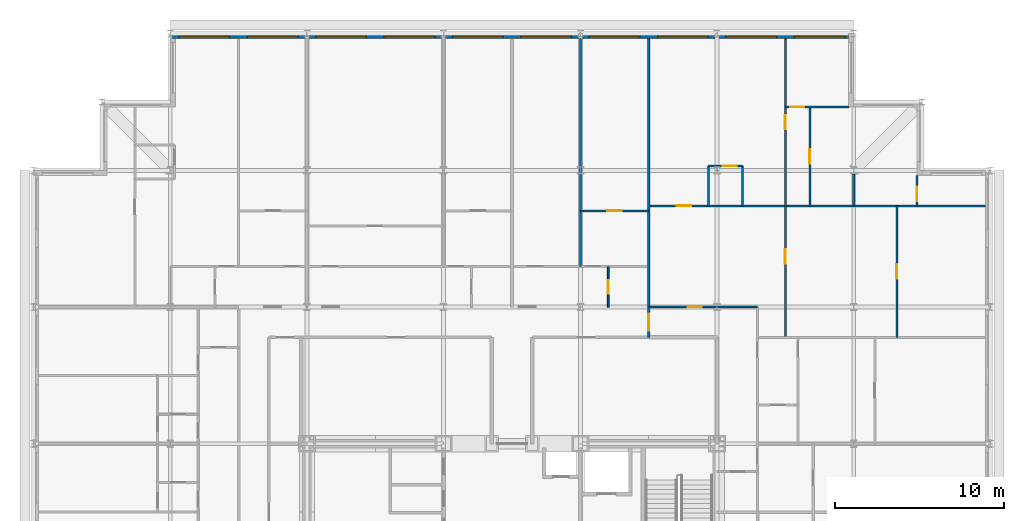
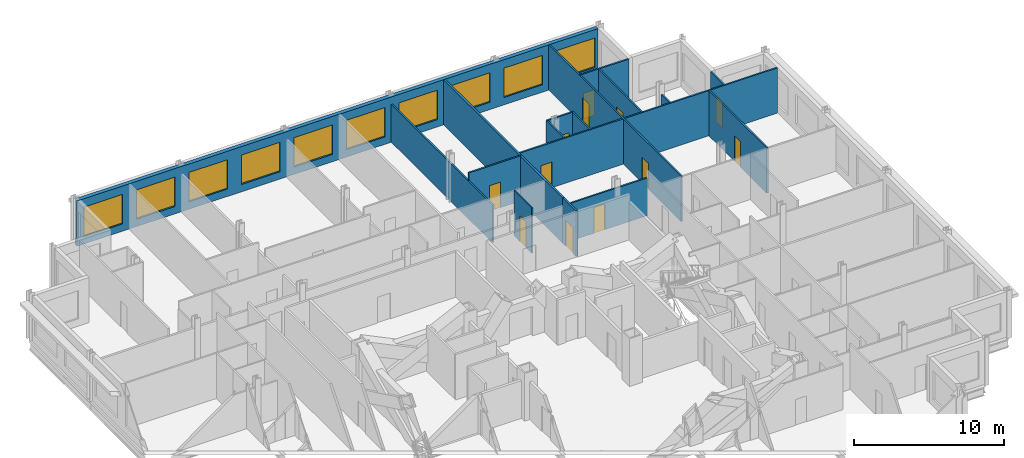
# One storey, part 13 of 15: 17 walls, 12 doors, 10 windows, 22 openings.
"""IFC4 building model written with IfcOpenShell, lengths in metres."""

import ifcopenshell
import ifcopenshell.guid

model = None  # the IFC model being written
_history = None  # IfcOwnerHistory: only IFC2X3 demands one
_inside = {}  # id of a spatial element -> (the spatial element, [elements in it])
_under = {}  # id of a project, library or spatial element -> (it, [spatial elements below it])
_declared = {}  # id of a project -> (the project, [libraries it declares])
_typed = {}  # id of a type object -> (the type object, [elements of that type])
_made_of = {}  # id of a material, layer set ... -> (it, [elements and type objects made of it])


def new_model(schema):
    """Start an empty IFC model of exactly this schema.

    Asked for "IFC4X3", IfcOpenShell would pick the latest addendum, in which some entities
    have other attributes; the version numbers below select the first issue.
    IFC2X3 requires an IfcOwnerHistory on every rooted entity: one is made here for all.
    """
    global model, _history
    if schema == "IFC4X3":
        model = ifcopenshell.file(schema_version=(4, 3, 0, 0))
    else:
        model = ifcopenshell.file(schema=schema)
    _inside.clear()
    _under.clear()
    _declared.clear()
    _typed.clear()
    _made_of.clear()
    _history = None
    if model.schema == "IFC2X3":
        org = make("IfcOrganization", Name="unknown")
        user = make(
            "IfcPersonAndOrganization",
            ThePerson=make("IfcPerson", FamilyName="unknown"),
            TheOrganization=org,
        )
        app = make(
            "IfcApplication",
            ApplicationDeveloper=org,
            Version="unknown",
            ApplicationFullName="unknown",
            ApplicationIdentifier="unknown",
        )
        _history = make(
            "IfcOwnerHistory",
            OwningUser=user,
            OwningApplication=app,
            ChangeAction="ADDED",
            CreationDate=0,
        )
    return model


def make(cls, **values):
    """One entity of the class cls with the attributes given. An attribute that is None is left unset."""
    return model.create_entity(
        cls, **{name: value for name, value in values.items() if value is not None}
    )


def rooted(cls, **values):
    """An entity with a GlobalId (a new one), such as an element, a storey or a relation."""
    return make(cls, GlobalId=ifcopenshell.guid.new(), OwnerHistory=_history, **values)


def si_unit(unit_type, name, prefix=None):
    """IfcSIUnit, for example si_unit("LENGTHUNIT", "METRE", prefix="MILLI")."""
    return make("IfcSIUnit", UnitType=unit_type, Prefix=prefix, Name=name)


def assignment(units):
    """IfcUnitAssignment: the units of a project."""
    return None if units is None else make("IfcUnitAssignment", Units=units)


def point(xyz):
    """IfcCartesianPoint."""
    return None if xyz is None else make("IfcCartesianPoint", Coordinates=xyz)


def direction(xyz):
    """IfcDirection."""
    return None if xyz is None else make("IfcDirection", DirectionRatios=xyz)


def frame(location, z_axis=None, x_axis=None):
    """IfcAxis2Placement3D, a coordinate frame: its origin and axes. An axis left out is left unset."""
    return make(
        "IfcAxis2Placement3D",
        Location=point(location),
        Axis=direction(z_axis),
        RefDirection=direction(x_axis),
    )


def frame_2d(location, x_axis=None):
    """IfcAxis2Placement2D, a coordinate frame in the plane: its origin and x axis."""
    return make(
        "IfcAxis2Placement2D", Location=point(location), RefDirection=direction(x_axis)
    )


def origin():
    """The frame at (0, 0, 0) with its axes left unset."""
    return frame((0.0, 0.0, 0.0))


def place(relative_to, where):
    """IfcLocalPlacement: puts the frame where relative to a parent placement (None: the world)."""
    return make(
        "IfcLocalPlacement", PlacementRelTo=relative_to, RelativePlacement=where
    )


def context(
    kind, dimensions, precision=None, world=None, true_north=None, identifier=None
):
    """IfcGeometricRepresentationContext, for example the 3D "Model" context."""
    return make(
        "IfcGeometricRepresentationContext",
        ContextIdentifier=identifier,
        ContextType=kind,
        CoordinateSpaceDimension=dimensions,
        Precision=precision,
        WorldCoordinateSystem=world,
        TrueNorth=true_north,
    )


def subcontext(parent, identifier, kind, view, scale=None):
    """IfcGeometricRepresentationSubContext, for example "Body" below "Model"."""
    return make(
        "IfcGeometricRepresentationSubContext",
        ContextIdentifier=identifier,
        ContextType=kind,
        ParentContext=parent,
        TargetScale=scale,
        TargetView=view,
    )


def project(units=None, contexts=None):
    """IfcProject with its units and contexts."""
    return rooted(
        "IfcProject",
        Name="project",
        RepresentationContexts=contexts,
        UnitsInContext=assignment(units),
    )


def spatial(cls, under=None, at=None, **own):
    """A site, building, storey or space (cls), placed at a placement, below another one or the project."""
    s = rooted(cls, ObjectPlacement=at, **own)
    if under is not None:
        _under.setdefault(under.id(), (under, []))[1].append(s)
    return s


def profile(cls, at=None, kind="AREA", **sizes):
    """A parametric profile (cls). Its sizes go by their IFC names, for example OverallWidth=200.0."""
    return make(cls, ProfileType=kind, Position=at, **sizes)


def rectangle(**sizes):
    """IfcRectangleProfileDef."""
    return profile("IfcRectangleProfileDef", **sizes)


def extrude(swept, where, along, depth):
    """IfcExtrudedAreaSolid: the profile swept, set in the frame where, extruded along a direction by depth."""
    return make(
        "IfcExtrudedAreaSolid",
        SweptArea=swept,
        Position=where,
        ExtrudedDirection=direction(along),
        Depth=depth,
    )


def shape(context_of_items, identifier, shape_type, items):
    """IfcShapeRepresentation: the items that make up one representation, for example the "Body"."""
    return make(
        "IfcShapeRepresentation",
        ContextOfItems=context_of_items,
        RepresentationIdentifier=identifier,
        RepresentationType=shape_type,
        Items=items,
    )


def material(Name=None, Category=None):
    """IfcMaterial."""
    return make("IfcMaterial", Name=Name, Category=Category)


def layer(
    of_material, thickness, ventilated=None, Name=None, Category=None, Priority=None
):
    """IfcMaterialLayer: one layer of a wall or slab, of a material (None: an air gap)."""
    return make(
        "IfcMaterialLayer",
        Material=of_material,
        LayerThickness=thickness,
        IsVentilated=ventilated,
        Name=Name,
        Category=Category,
        Priority=Priority,
    )


def layer_set(layers, Name=None):
    """IfcMaterialLayerSet."""
    return make("IfcMaterialLayerSet", MaterialLayers=layers, LayerSetName=Name)


def made_of(thing, what):
    """Note that an element or type object is made of a material, layer set ...; save() writes the relation."""
    if what is not None:
        _made_of.setdefault(what.id(), (what, []))[1].append(thing)
    return thing


def type_object(cls, material=None, **own):
    """A type object (cls), such as IfcWallType, which elements share."""
    return made_of(rooted(cls, **own), material)


def element(
    cls,
    number,
    at=None,
    inside=None,
    cuts=None,
    type_object=None,
    material=None,
    context=None,
    identifier="Body",
    shape_type=None,
    held_by="IfcProductDefinitionShape",
    body=None,
    shapes=None,
    **own,
):
    """One element of the class cls, such as IfcWall. Its Tag is "e" and its number.

    at: its placement. inside: the storey or other place that contains it. cuts: it is an
    opening in that element (IfcRelVoidsElement). A single representation is given by context,
    identifier, shape_type and body (its items); several are given by shapes. held_by: the class
    of the entity that holds the representations. save() writes the other relations.
    """
    e = rooted(cls, Tag="e%d" % number, ObjectPlacement=at, **own)
    if body is not None:
        shapes = [shape(context, identifier, shape_type, body)]
    if shapes is not None:
        e.Representation = make(held_by, Representations=shapes)
    if inside is not None:
        _inside.setdefault(inside.id(), (inside, []))[1].append(e)
    if cuts is not None:
        rooted(
            "IfcRelVoidsElement", RelatingBuildingElement=cuts, RelatedOpeningElement=e
        )
    if type_object is not None:
        _typed.setdefault(type_object.id(), (type_object, []))[1].append(e)
    return made_of(e, material)


def fill(opening, filler):
    """IfcRelFillsElement: the door or window that sits in an opening."""
    return rooted(
        "IfcRelFillsElement",
        RelatingOpeningElement=opening,
        RelatedBuildingElement=filler,
    )


def aggregate(whole, parts):
    """IfcRelAggregates: a whole, such as a stair, and the parts it consists of."""
    return rooted("IfcRelAggregates", RelatingObject=whole, RelatedObjects=parts)


def save(model, path):
    """Write the relations noted so far, then the file.

    IfcRelAggregates (storeys below a building ...), IfcRelContainedInSpatialStructure (elements
    in a storey), IfcRelDefinesByType, IfcRelAssociatesMaterial and IfcRelDeclares: one each for
    every whole, place, type object, material and project.
    """
    for whole, parts in _under.values():
        aggregate(whole, parts)
    for where, things in _inside.values():
        rooted(
            "IfcRelContainedInSpatialStructure",
            RelatedElements=things,
            RelatingStructure=where,
        )
    for kind, things in _typed.values():
        rooted("IfcRelDefinesByType", RelatedObjects=things, RelatingType=kind)
    for what, things in _made_of.values():
        rooted("IfcRelAssociatesMaterial", RelatedObjects=things, RelatingMaterial=what)
    for by, libraries in _declared.values():
        rooted("IfcRelDeclares", RelatingContext=by, RelatedDefinitions=libraries)
    model.write(path)


model = new_model("IFC4")

# Units and contexts
model_context = context("Model", 3, precision=1e-05, world=origin(), true_north=direction((0.0, 1.0)))
body_context = subcontext(model_context, "Body", "Model", "MODEL_VIEW")
ifc_project = project(units=[si_unit("LENGTHUNIT", "METRE"), si_unit("AREAUNIT", "SQUARE_METRE"), si_unit("VOLUMEUNIT", "CUBIC_METRE"), si_unit("PLANEANGLEUNIT", "RADIAN"), si_unit("MASSUNIT", "GRAM", prefix="KILO")], contexts=[model_context])

# Site, building, storey
site_placement = place(None, origin())
site = spatial("IfcSite", under=ifc_project, at=site_placement, CompositionType="ELEMENT")
building_placement = place(site_placement, origin())
building = spatial("IfcBuilding", under=site, at=building_placement, Name="Kopane Lantern Tower", CompositionType="ELEMENT")
storey_placement = place(building_placement, frame((0.0, 0.0, 281.39990234375)))
storey = spatial("IfcBuildingStorey", under=building, at=storey_placement, Name="L72", CompositionType="ELEMENT", Elevation=281.39990234375)

# Wall
ifc_material_1 = material(Name="Gypsum board on steel studs", Category="steel")
ifc_layer_1 = layer(ifc_material_1, 0.1201171875)
ifc_layer_set_1 = layer_set([ifc_layer_1], Name="APARTMENT INTERNAL WALL 120")
wall_type_1 = type_object("IfcWallType", Name="APARTMENT INTERNAL WALL 120", PredefinedType="PARTITIONING", material=ifc_layer_set_1)
wall_1_placement = place(storey_placement, frame((32.39990234375, 51.0, 0.0), z_axis=(0.0, 0.0, 1.0), x_axis=(0.0, 1.0, 0.0)))
element("IfcWall", 1, at=wall_1_placement, inside=storey, type_object=wall_type_1, Name="Apartment Internal Wall 120 L72", PredefinedType="PARTITIONING", context=body_context, shape_type="SweptSolid", body=[
    extrude(rectangle(XDim=13.5, YDim=0.1201171875, at=frame_2d((6.75, 0.0))), origin(), (0.0, 0.0, 1.0), 3.077880859375),
])

# Wall, opening, door
wall_2_placement = place(storey_placement, frame((36.449951171875, 48.60009765625, 0.0), z_axis=(0.0, 0.0, 1.0), x_axis=(1.0, 0.0, 0.0)))
wall_2 = element("IfcWall", 2, at=wall_2_placement, inside=storey, type_object=wall_type_1, Name="Apartment Internal Wall 120 L72", PredefinedType="PARTITIONING", context=body_context, shape_type="SweptSolid", body=[
    extrude(rectangle(XDim=6.449951171875, YDim=0.1201171875, at=frame_2d((3.22509765625, 0.0))), origin(), (0.0, 0.0, 1.0), 3.077880859375),
])
opening_1_placement = place(wall_2_placement, frame((2.300048828125, 0.0, 0.0)))
opening_1 = element("IfcOpeningElement", 3, at=opening_1_placement, cuts=wall_2, Name="Opening L72-047", PredefinedType="OPENING", context=body_context, shape_type="SweptSolid", body=[
    extrude(rectangle(XDim=0.85009765625, YDim=2.10009765625, at=frame_2d((0.425048828125, 1.050048828125))), frame((0.0, 0.070068359375, 0.0), z_axis=(0.0, -1.0, 0.0), x_axis=(1.0, 0.0, 0.0)), (0.0, 0.0, 1.0), 0.14013671875),
])
ifc_material_2 = material(Name="Timber door set", Category="wood")
door_type_1 = type_object("IfcDoorType", Name="DOOR D4 850x2100", OperationType="SINGLE_SWING_LEFT", PredefinedType="DOOR", material=ifc_material_2)
door_1_placement = place(opening_1_placement, origin())
door_1 = element("IfcDoor", 4, at=door_1_placement, inside=storey, type_object=door_type_1, Name="Door L72-047", OperationType="SINGLE_SWING_LEFT", OverallHeight=2.10009765625, OverallWidth=0.85009765625, PredefinedType="DOOR", context=body_context, shape_type="SweptSolid", body=[
    extrude(rectangle(XDim=0.85009765625, YDim=2.10009765625, at=frame_2d((0.425048828125, 1.050048828125))), frame((0.0, 0.02490234375, 0.0), z_axis=(0.0, -1.0, 0.0), x_axis=(1.0, 0.0, 0.0)), (0.0, 0.0, 1.0), 0.050048828125),
])
fill(opening_1, door_1)

wall_3_placement = place(storey_placement, frame((36.449951171875, 54.60009765625, 0.0), z_axis=(0.0, 0.0, 1.0), x_axis=(1.0, 0.0, 0.0)))
wall_3 = element("IfcWall", 5, at=wall_3_placement, inside=storey, type_object=wall_type_1, Name="Apartment Internal Wall 120 L72", PredefinedType="PARTITIONING", context=body_context, shape_type="SweptSolid", body=[
    extrude(rectangle(XDim=19.949951171875, YDim=0.1201171875, at=frame_2d((9.97509765625, 0.0))), origin(), (0.0, 0.0, 1.0), 3.690185546875),
])
opening_2_placement = place(wall_3_placement, frame((1.675048828125, 0.0, 0.0)))
opening_2 = element("IfcOpeningElement", 6, at=opening_2_placement, cuts=wall_3, Name="Opening L72-048", PredefinedType="OPENING", context=body_context, shape_type="SweptSolid", body=[
    extrude(rectangle(XDim=0.85009765625, YDim=2.10009765625, at=frame_2d((0.425048828125, 1.050048828125))), frame((0.0, 0.070068359375, 0.0), z_axis=(0.0, -1.0, 0.0), x_axis=(1.0, 0.0, 0.0)), (0.0, 0.0, 1.0), 0.14013671875),
])
door_2_placement = place(opening_2_placement, origin())
door_2 = element("IfcDoor", 7, at=door_2_placement, inside=storey, type_object=door_type_1, Name="Door L72-048", OperationType="SINGLE_SWING_LEFT", OverallHeight=2.10009765625, OverallWidth=0.85009765625, PredefinedType="DOOR", context=body_context, shape_type="SweptSolid", body=[
    extrude(rectangle(XDim=0.85009765625, YDim=2.10009765625, at=frame_2d((0.425048828125, 1.050048828125))), frame((0.0, 0.02490234375, 0.0), z_axis=(0.0, -1.0, 0.0), x_axis=(1.0, 0.0, 0.0)), (0.0, 0.0, 1.0), 0.050048828125),
])
fill(opening_2, door_2)

# Wall, openings, doors
wall_4_placement = place(storey_placement, frame((44.550048828125, 64.5, 0.0), z_axis=(0.0, 0.0, 1.0), x_axis=(0.0, -1.0, 0.0)))
wall_4 = element("IfcWall", 8, at=wall_4_placement, inside=storey, type_object=wall_type_1, Name="Apartment Internal Wall 120 L72", PredefinedType="PARTITIONING", context=body_context, shape_type="SweptSolid", body=[
    extrude(rectangle(XDim=17.699951171875, YDim=0.1201171875, at=frame_2d((8.85009765625, 0.0))), origin(), (0.0, 0.0, 1.0), 3.690185546875),
])
opening_3_placement = place(wall_4_placement, frame((12.47509765625, 0.0, 0.0)))
opening_3 = element("IfcOpeningElement", 9, at=opening_3_placement, cuts=wall_4, Name="Opening L72-049", PredefinedType="OPENING", context=body_context, shape_type="SweptSolid", body=[
    extrude(rectangle(XDim=0.85009765625, YDim=2.10009765625, at=frame_2d((0.425048828125, 1.050048828125))), frame((0.0, 0.070068359375, 0.0), z_axis=(0.0, -1.0, 0.0), x_axis=(1.0, 0.0, 0.0)), (0.0, 0.0, 1.0), 0.14013671875),
])
opening_4_placement = place(wall_4_placement, frame((4.52490234375, 0.0, 0.0)))
opening_4 = element("IfcOpeningElement", 10, at=opening_4_placement, cuts=wall_4, Name="Opening L72-050", PredefinedType="OPENING", context=body_context, shape_type="SweptSolid", body=[
    extrude(rectangle(XDim=0.85009765625, YDim=2.10009765625, at=frame_2d((0.425048828125, 1.050048828125))), frame((0.0, 0.070068359375, 0.0), z_axis=(0.0, -1.0, 0.0), x_axis=(1.0, 0.0, 0.0)), (0.0, 0.0, 1.0), 0.14013671875),
])
door_3_placement = place(opening_3_placement, origin())
door_3 = element("IfcDoor", 11, at=door_3_placement, inside=storey, type_object=door_type_1, Name="Door L72-049", OperationType="SINGLE_SWING_LEFT", OverallHeight=2.10009765625, OverallWidth=0.85009765625, PredefinedType="DOOR", context=body_context, shape_type="SweptSolid", body=[
    extrude(rectangle(XDim=0.85009765625, YDim=2.10009765625, at=frame_2d((0.425048828125, 1.050048828125))), frame((0.0, 0.02490234375, 0.0), z_axis=(0.0, -1.0, 0.0), x_axis=(1.0, 0.0, 0.0)), (0.0, 0.0, 1.0), 0.050048828125),
])
fill(opening_3, door_3)
door_4_placement = place(opening_4_placement, origin())
door_4 = element("IfcDoor", 12, at=door_4_placement, inside=storey, type_object=door_type_1, Name="Door L72-050", OperationType="SINGLE_SWING_LEFT", OverallHeight=2.10009765625, OverallWidth=0.85009765625, PredefinedType="DOOR", context=body_context, shape_type="SweptSolid", body=[
    extrude(rectangle(XDim=0.85009765625, YDim=2.10009765625, at=frame_2d((0.425048828125, 1.050048828125))), frame((0.0, 0.02490234375, 0.0), z_axis=(0.0, -1.0, 0.0), x_axis=(1.0, 0.0, 0.0)), (0.0, 0.0, 1.0), 0.050048828125),
])
fill(opening_4, door_4)

# Wall, opening, door
wall_5_placement = place(storey_placement, frame((52.35009765625, 54.60009765625, 0.0), z_axis=(0.0, 0.0, 1.0), x_axis=(0.0, 1.0, 0.0)))
wall_5 = element("IfcWall", 13, at=wall_5_placement, inside=storey, type_object=wall_type_1, Name="Apartment Internal Wall 120 L72", PredefinedType="PARTITIONING", context=body_context, shape_type="SweptSolid", body=[
    extrude(rectangle(XDim=1.7998046875, YDim=0.1201171875, at=frame_2d((0.89990234375, 0.0))), origin(), (0.0, 0.0, 1.0), 3.690185546875),
])
opening_5_placement = place(wall_5_placement, frame((0.27490234375, 0.0, 0.0)))
opening_5 = element("IfcOpeningElement", 14, at=opening_5_placement, cuts=wall_5, Name="Opening L72-057", PredefinedType="OPENING", context=body_context, shape_type="SweptSolid", body=[
    extrude(rectangle(XDim=0.85009765625, YDim=2.10009765625, at=frame_2d((0.425048828125, 1.050048828125))), frame((0.0, 0.070068359375, 0.0), z_axis=(0.0, -1.0, 0.0), x_axis=(1.0, 0.0, 0.0)), (0.0, 0.0, 1.0), 0.14013671875),
])
door_5_placement = place(opening_5_placement, origin())
door_5 = element("IfcDoor", 15, at=door_5_placement, inside=storey, type_object=door_type_1, Name="Door L72-057", OperationType="SINGLE_SWING_RIGHT", OverallHeight=2.10009765625, OverallWidth=0.85009765625, PredefinedType="DOOR", context=body_context, shape_type="SweptSolid", body=[
    extrude(rectangle(XDim=0.85009765625, YDim=2.10009765625, at=frame_2d((0.425048828125, 1.050048828125))), frame((0.0, 0.02490234375, 0.0), z_axis=(0.0, -1.0, 0.0), x_axis=(1.0, 0.0, 0.0)), (0.0, 0.0, 1.0), 0.050048828125),
])
fill(opening_5, door_5)

wall_6_placement = place(storey_placement, frame((48.31005859375, 60.449951171875, 0.0), z_axis=(0.0, 0.0, 1.0), x_axis=(-1.0, 0.0, 0.0)))
wall_6 = element("IfcWall", 16, at=wall_6_placement, inside=storey, type_object=wall_type_1, Name="Apartment Internal Wall 120 L72", PredefinedType="PARTITIONING", context=body_context, shape_type="SweptSolid", body=[
    extrude(rectangle(XDim=3.760009765625, YDim=0.1201171875, at=frame_2d((1.8798828125, 0.0))), origin(), (0.0, 0.0, 1.0), 3.690185546875),
])
opening_6_placement = place(wall_6_placement, frame((2.635009765625, 0.0, 0.0)))
opening_6 = element("IfcOpeningElement", 17, at=opening_6_placement, cuts=wall_6, Name="Opening L72-058", PredefinedType="OPENING", context=body_context, shape_type="SweptSolid", body=[
    extrude(rectangle(XDim=0.85009765625, YDim=2.10009765625, at=frame_2d((0.425048828125, 1.050048828125))), frame((0.0, 0.070068359375, 0.0), z_axis=(0.0, -1.0, 0.0), x_axis=(1.0, 0.0, 0.0)), (0.0, 0.0, 1.0), 0.14013671875),
])
door_6_placement = place(opening_6_placement, origin())
door_6 = element("IfcDoor", 18, at=door_6_placement, inside=storey, type_object=door_type_1, Name="Door L72-058", OperationType="SINGLE_SWING_LEFT", OverallHeight=2.10009765625, OverallWidth=0.85009765625, PredefinedType="DOOR", context=body_context, shape_type="SweptSolid", body=[
    extrude(rectangle(XDim=0.85009765625, YDim=2.10009765625, at=frame_2d((0.425048828125, 1.050048828125))), frame((0.0, 0.02490234375, 0.0), z_axis=(0.0, -1.0, 0.0), x_axis=(1.0, 0.0, 0.0)), (0.0, 0.0, 1.0), 0.050048828125),
])
fill(opening_6, door_6)

wall_7_placement = place(storey_placement, frame((32.39990234375, 54.300048828125, 0.0), z_axis=(0.0, 0.0, 1.0), x_axis=(1.0, 0.0, 0.0)))
wall_7 = element("IfcWall", 19, at=wall_7_placement, inside=storey, type_object=wall_type_1, Name="Apartment Internal Wall 120 L72", PredefinedType="PARTITIONING", context=body_context, shape_type="SweptSolid", body=[
    extrude(rectangle(XDim=4.050048828125, YDim=0.1201171875, at=frame_2d((2.02490234375, 0.0))), origin(), (0.0, 0.0, 1.0), 3.690185546875),
])
opening_7_placement = place(wall_7_placement, frame((1.60009765625, 0.0, 0.0)))
opening_7 = element("IfcOpeningElement", 20, at=opening_7_placement, cuts=wall_7, Name="Opening L72-062", PredefinedType="OPENING", context=body_context, shape_type="SweptSolid", body=[
    extrude(rectangle(XDim=0.85009765625, YDim=2.10009765625, at=frame_2d((0.425048828125, 1.050048828125))), frame((0.0, 0.070068359375, 0.0), z_axis=(0.0, -1.0, 0.0), x_axis=(1.0, 0.0, 0.0)), (0.0, 0.0, 1.0), 0.14013671875),
])
door_7_placement = place(opening_7_placement, origin())
door_7 = element("IfcDoor", 21, at=door_7_placement, inside=storey, type_object=door_type_1, Name="Door L72-062", OperationType="SINGLE_SWING_RIGHT", OverallHeight=2.10009765625, OverallWidth=0.85009765625, PredefinedType="DOOR", context=body_context, shape_type="SweptSolid", body=[
    extrude(rectangle(XDim=0.85009765625, YDim=2.10009765625, at=frame_2d((0.425048828125, 1.050048828125))), frame((0.0, 0.02490234375, 0.0), z_axis=(0.0, -1.0, 0.0), x_axis=(1.0, 0.0, 0.0)), (0.0, 0.0, 1.0), 0.050048828125),
])
fill(opening_7, door_7)

wall_8_placement = place(storey_placement, frame((51.14990234375, 46.800048828125, 0.0), z_axis=(0.0, 0.0, 1.0), x_axis=(0.0, 1.0, 0.0)))
wall_8 = element("IfcWall", 22, at=wall_8_placement, inside=storey, type_object=wall_type_1, Name="Apartment Internal Wall 120 L72", PredefinedType="PARTITIONING", context=body_context, shape_type="SweptSolid", body=[
    extrude(rectangle(XDim=7.800048828125, YDim=0.1201171875, at=frame_2d((3.89990234375, 0.0))), origin(), (0.0, 0.0, 1.0), 3.690185546875),
])
opening_8_placement = place(wall_8_placement, frame((3.47509765625, 0.0, 0.0)))
opening_8 = element("IfcOpeningElement", 23, at=opening_8_placement, cuts=wall_8, Name="Opening L72-069", PredefinedType="OPENING", context=body_context, shape_type="SweptSolid", body=[
    extrude(rectangle(XDim=0.85009765625, YDim=2.10009765625, at=frame_2d((0.425048828125, 1.050048828125))), frame((0.0, 0.070068359375, 0.0), z_axis=(0.0, -1.0, 0.0), x_axis=(1.0, 0.0, 0.0)), (0.0, 0.0, 1.0), 0.14013671875),
])
door_8_placement = place(opening_8_placement, origin())
door_8 = element("IfcDoor", 24, at=door_8_placement, inside=storey, type_object=door_type_1, Name="Door L72-069", OperationType="SINGLE_SWING_RIGHT", OverallHeight=2.10009765625, OverallWidth=0.85009765625, PredefinedType="DOOR", context=body_context, shape_type="SweptSolid", body=[
    extrude(rectangle(XDim=0.85009765625, YDim=2.10009765625, at=frame_2d((0.425048828125, 1.050048828125))), frame((0.0, 0.02490234375, 0.0), z_axis=(0.0, -1.0, 0.0), x_axis=(1.0, 0.0, 0.0)), (0.0, 0.0, 1.0), 0.050048828125),
])
fill(opening_8, door_8)

wall_9_placement = place(storey_placement, frame((46.0, 54.60009765625, 0.0), z_axis=(0.0, 0.0, 1.0), x_axis=(0.0, 1.0, 0.0)))
wall_9 = element("IfcWall", 25, at=wall_9_placement, inside=storey, type_object=wall_type_1, Name="Apartment Internal Wall 120 L72", PredefinedType="PARTITIONING", context=body_context, shape_type="SweptSolid", body=[
    extrude(rectangle(XDim=5.849853515625, YDim=0.1201171875, at=frame_2d((2.9248046875, 0.0))), origin(), (0.0, 0.0, 1.0), 3.690185546875),
])
opening_9_placement = place(wall_9_placement, frame((2.5, 0.0, 0.0)))
opening_9 = element("IfcOpeningElement", 26, at=opening_9_placement, cuts=wall_9, Name="Opening L72-070", PredefinedType="OPENING", context=body_context, shape_type="SweptSolid", body=[
    extrude(rectangle(XDim=0.85009765625, YDim=2.10009765625, at=frame_2d((0.425048828125, 1.050048828125))), frame((0.0, 0.070068359375, 0.0), z_axis=(0.0, -1.0, 0.0), x_axis=(1.0, 0.0, 0.0)), (0.0, 0.0, 1.0), 0.14013671875),
])
door_9_placement = place(opening_9_placement, origin())
door_9 = element("IfcDoor", 27, at=door_9_placement, inside=storey, type_object=door_type_1, Name="Door L72-070", OperationType="SINGLE_SWING_LEFT", OverallHeight=2.10009765625, OverallWidth=0.85009765625, PredefinedType="DOOR", context=body_context, shape_type="SweptSolid", body=[
    extrude(rectangle(XDim=0.85009765625, YDim=2.10009765625, at=frame_2d((0.425048828125, 1.050048828125))), frame((0.0, 0.02490234375, 0.0), z_axis=(0.0, -1.0, 0.0), x_axis=(1.0, 0.0, 0.0)), (0.0, 0.0, 1.0), 0.050048828125),
])
fill(opening_9, door_9)

# Walls
for number, where, z_axis, x_axis, name in (
    (28, (39.9970703125, 54.60009765625, 0.0), (0.0, 0.0, 1.0), (0.0, 1.0, 0.0), "Apartment Internal Wall 120 L72"),
    (29, (42.0029296875, 54.60009765625, 0.0), (0.0, 0.0, 1.0), (0.0, 1.0, 0.0), "Apartment Internal Wall 120 L72"),
):
    element("IfcWall", number, at=place(storey_placement, frame(where, z_axis=z_axis, x_axis=x_axis)), inside=storey, type_object=wall_type_1, Name=name, PredefinedType="PARTITIONING", context=body_context, shape_type="SweptSolid", body=[
        extrude(rectangle(XDim=2.36279296875, YDim=0.1201171875, at=frame_2d((1.181396484375, 0.0))), origin(), (0.0, 0.0, 1.0), 3.690185546875),
    ])

# Wall, opening, door
wall_10_placement = place(storey_placement, frame((39.9970703125, 56.962890625, 0.0), z_axis=(0.0, 0.0, 1.0), x_axis=(1.0, 0.0, 0.0)))
wall_10 = element("IfcWall", 30, at=wall_10_placement, inside=storey, type_object=wall_type_1, Name="Apartment Internal Wall 120 L72", PredefinedType="PARTITIONING", context=body_context, shape_type="SweptSolid", body=[
    extrude(rectangle(XDim=2.005859375, YDim=0.1201171875, at=frame_2d((1.0029296875, 0.0))), origin(), (0.0, 0.0, 1.0), 3.690185546875),
])
opening_10_placement = place(wall_10_placement, frame((0.8310546875, 0.0, 0.0)))
opening_10 = element("IfcOpeningElement", 31, at=opening_10_placement, cuts=wall_10, Name="Opening L72-073", PredefinedType="OPENING", context=body_context, shape_type="SweptSolid", body=[
    extrude(rectangle(XDim=0.85009765625, YDim=2.10009765625, at=frame_2d((0.425048828125, 1.050048828125))), frame((0.0, 0.070068359375, 0.0), z_axis=(0.0, -1.0, 0.0), x_axis=(1.0, 0.0, 0.0)), (0.0, 0.0, 1.0), 0.14013671875),
])
door_10_placement = place(opening_10_placement, origin())
door_10 = element("IfcDoor", 32, at=door_10_placement, inside=storey, type_object=door_type_1, Name="Door L72-073", OperationType="SINGLE_SWING_LEFT", OverallHeight=2.10009765625, OverallWidth=0.85009765625, PredefinedType="DOOR", context=body_context, shape_type="SweptSolid", body=[
    extrude(rectangle(XDim=0.85009765625, YDim=2.10009765625, at=frame_2d((0.425048828125, 1.050048828125))), frame((0.0, 0.02490234375, 0.0), z_axis=(0.0, -1.0, 0.0), x_axis=(1.0, 0.0, 0.0)), (0.0, 0.0, 1.0), 0.050048828125),
])
fill(opening_10, door_10)

# Wall
wall_11_placement = place(storey_placement, frame((48.60009765625, 54.60009765625, 0.0), z_axis=(0.0, 0.0, 1.0), x_axis=(0.0, 1.0, 0.0)))
element("IfcWall", 33, at=wall_11_placement, inside=storey, type_object=wall_type_1, Name="Apartment Internal Wall 120 L72", PredefinedType="PARTITIONING", context=body_context, shape_type="SweptSolid", body=[
    extrude(rectangle(XDim=1.89697265625, YDim=0.1201171875, at=frame_2d((0.948486328125, 0.0))), origin(), (0.0, 0.0, 1.0), 3.077880859375),
])

# Wall, opening, door
ifc_material_3 = material(Name="Moisture-resistant board on steel studs", Category="steel")
ifc_layer_2 = layer(ifc_material_3, 0.10009765625)
ifc_layer_set_2 = layer_set([ifc_layer_2], Name="BATHROOM WALL 100")
wall_type_2 = type_object("IfcWallType", Name="BATHROOM WALL 100", PredefinedType="PARTITIONING", material=ifc_layer_set_2)
wall_12_placement = place(storey_placement, frame((34.050048828125, 48.60009765625, 0.0), z_axis=(0.0, 0.0, 1.0), x_axis=(0.0, 1.0, 0.0)))
wall_12 = element("IfcWall", 34, at=wall_12_placement, inside=storey, type_object=wall_type_2, Name="Bathroom Wall 100 L72", PredefinedType="PARTITIONING", context=body_context, shape_type="SweptSolid", body=[
    extrude(rectangle(XDim=2.39990234375, YDim=0.10009765625, at=frame_2d((1.199951171875, 0.0))), origin(), (0.0, 0.0, 1.0), 3.690185546875),
])
opening_11_placement = place(wall_12_placement, frame((0.800048828125, 0.0, 0.0)))
opening_11 = element("IfcOpeningElement", 35, at=opening_11_placement, cuts=wall_12, Name="Opening L72-017", PredefinedType="OPENING", context=body_context, shape_type="SweptSolid", body=[
    extrude(rectangle(XDim=0.800048828125, YDim=2.10009765625, at=frame_2d((0.39990234375, 1.050048828125))), frame((0.0, 0.06005859375, 0.0), z_axis=(0.0, -1.0, 0.0), x_axis=(1.0, 0.0, 0.0)), (0.0, 0.0, 1.0), 0.1201171875),
])
ifc_material_4 = material(Name="Timber door set", Category="wood")
door_type_2 = type_object("IfcDoorType", Name="DOOR D2 800x2100", OperationType="SINGLE_SWING_LEFT", PredefinedType="DOOR", material=ifc_material_4)
door_11_placement = place(opening_11_placement, origin())
door_11 = element("IfcDoor", 36, at=door_11_placement, inside=storey, type_object=door_type_2, Name="Door L72-017", OperationType="SINGLE_SWING_RIGHT", OverallHeight=2.10009765625, OverallWidth=0.800048828125, PredefinedType="DOOR", context=body_context, shape_type="SweptSolid", body=[
    extrude(rectangle(XDim=0.800048828125, YDim=2.10009765625, at=frame_2d((0.39990234375, 1.050048828125))), frame((0.0, 0.02490234375, 0.0), z_axis=(0.0, -1.0, 0.0), x_axis=(1.0, 0.0, 0.0)), (0.0, 0.0, 1.0), 0.050048828125),
])
fill(opening_11, door_11)

ifc_material_5 = material(Name="Gypsum board on steel studs", Category="steel")
ifc_layer_3 = layer(ifc_material_5, 0.14990234375)
ifc_layer_set_3 = layer_set([ifc_layer_3], Name="CORRIDOR WALL 150 EI 60")
wall_type_3 = type_object("IfcWallType", Name="CORRIDOR WALL 150 EI 60", PredefinedType="PARTITIONING", material=ifc_layer_set_3)
wall_13_placement = place(storey_placement, frame((36.449951171875, 46.800048828125, 0.0), z_axis=(0.0, 0.0, 1.0), x_axis=(0.0, 1.0, 0.0)))
wall_13 = element("IfcWall", 37, at=wall_13_placement, inside=storey, type_object=wall_type_3, Name="Corridor Wall 150 Ei 60 L72", PredefinedType="PARTITIONING", context=body_context, shape_type="SweptSolid", body=[
    extrude(rectangle(XDim=1.800048828125, YDim=0.14990234375, at=frame_2d((0.89990234375, 0.0))), origin(), (0.0, 0.0, 1.0), 3.690185546875),
])
opening_12_placement = place(wall_13_placement, frame((0.39990234375, 0.0, 0.0)))
opening_12 = element("IfcOpeningElement", 38, at=opening_12_placement, cuts=wall_13, Name="Opening L72-045", PredefinedType="OPENING", context=body_context, shape_type="SweptSolid", body=[
    extrude(rectangle(XDim=1.0, YDim=2.10009765625, at=frame_2d((0.5, 1.050048828125))), frame((0.0, 0.0849609375, 0.0), z_axis=(0.0, -1.0, 0.0), x_axis=(1.0, 0.0, 0.0)), (0.0, 0.0, 1.0), 0.169921875),
])
ifc_material_6 = material(Name="Steel door set", Category="steel")
door_type_3 = type_object("IfcDoorType", Name="DOOR D3 1000x2100 FD30S", OperationType="SINGLE_SWING_LEFT", PredefinedType="DOOR", material=ifc_material_6)
door_12_placement = place(opening_12_placement, origin())
door_12 = element("IfcDoor", 39, at=door_12_placement, inside=storey, type_object=door_type_3, Name="Door L72-045", OperationType="SINGLE_SWING_RIGHT", OverallHeight=2.10009765625, OverallWidth=1.0, PredefinedType="DOOR", context=body_context, shape_type="SweptSolid", body=[
    extrude(rectangle(XDim=1.0, YDim=2.10009765625, at=frame_2d((0.5, 1.050048828125))), frame((0.0, 0.02490234375, 0.0), z_axis=(0.0, -1.0, 0.0), x_axis=(1.0, 0.0, 0.0)), (0.0, 0.0, 1.0), 0.050048828125),
])
fill(opening_12, door_12)

# Wall
ifc_material_7 = material(Name="Gypsum board on steel studs", Category="steel")
ifc_layer_4 = layer(ifc_material_7, 0.14990234375)
ifc_layer_set_4 = layer_set([ifc_layer_4], Name="DEMISING WALL 150 EI 60")
wall_type_4 = type_object("IfcWallType", Name="DEMISING WALL 150 EI 60", PredefinedType="PARTITIONING", material=ifc_layer_set_4)
wall_14_placement = place(storey_placement, frame((36.449951171875, 64.5, 0.0), z_axis=(0.0, 0.0, 1.0), x_axis=(0.0, -1.0, 0.0)))
element("IfcWall", 40, at=wall_14_placement, inside=storey, type_object=wall_type_4, Name="Demising Wall 150 Ei 60 L72", PredefinedType="PARTITIONING", context=body_context, shape_type="SweptSolid", body=[
    extrude(rectangle(XDim=15.89990234375, YDim=0.14990234375, at=frame_2d((7.949951171875, 0.0))), origin(), (0.0, 0.0, 1.0), 3.690185546875),
])

# Wall, openings, windows
ifc_material_8 = material(Name="Terracotta rainscreen on light steel framing", Category="masonry")
ifc_layer_5 = layer(ifc_material_8, 0.300048828125)
ifc_layer_set_5 = layer_set([ifc_layer_5], Name="EXTERNAL WALL EW1 300 TERRACOTTA")
wall_type_5 = type_object("IfcWallType", Name="EXTERNAL WALL EW1 300 TERRACOTTA", PredefinedType="SOLIDWALL", material=ifc_layer_set_5)
wall_15_placement = place(storey_placement, frame((48.300048828125, 64.64990234375, 0.0), z_axis=(0.0, 0.0, 1.0), x_axis=(-1.0, 0.0, 0.0)))
wall_15 = element("IfcWall", 41, at=wall_15_placement, inside=storey, type_object=wall_type_5, Name="External wall N L72", PredefinedType="SOLIDWALL", context=body_context, shape_type="SweptSolid", body=[
    extrude(rectangle(XDim=40.199951171875, YDim=0.300048828125, at=frame_2d((20.10009765625, 0.0))), origin(), (0.0, 0.0, 1.0), 3.690185546875),
])
opening_13_placement = place(wall_15_placement, frame((0.22509765625, 0.0, 0.60009765625)))
opening_13 = element("IfcOpeningElement", 42, at=opening_13_placement, cuts=wall_15, Name="Opening WR300240", PredefinedType="OPENING", context=body_context, shape_type="SweptSolid", body=[
    extrude(rectangle(XDim=3.0, YDim=2.39990234375, at=frame_2d((1.5, 1.199951171875))), frame((0.0, 0.159912109375, 0.0), z_axis=(0.0, -1.0, 0.0), x_axis=(1.0, 0.0, 0.0)), (0.0, 0.0, 1.0), 0.320068359375),
])
opening_14_placement = place(wall_15_placement, frame((4.27490234375, 0.0, 0.60009765625)))
opening_14 = element("IfcOpeningElement", 43, at=opening_14_placement, cuts=wall_15, Name="Opening WR300240", PredefinedType="OPENING", context=body_context, shape_type="SweptSolid", body=[
    extrude(rectangle(XDim=3.0, YDim=2.39990234375, at=frame_2d((1.5, 1.199951171875))), frame((0.0, 0.159912109375, 0.0), z_axis=(0.0, -1.0, 0.0), x_axis=(1.0, 0.0, 0.0)), (0.0, 0.0, 1.0), 0.320068359375),
])
opening_15_placement = place(wall_15_placement, frame((8.324951171875, 0.0, 0.60009765625)))
opening_15 = element("IfcOpeningElement", 44, at=opening_15_placement, cuts=wall_15, Name="Opening WR300240", PredefinedType="OPENING", context=body_context, shape_type="SweptSolid", body=[
    extrude(rectangle(XDim=3.0, YDim=2.39990234375, at=frame_2d((1.5, 1.199951171875))), frame((0.0, 0.159912109375, 0.0), z_axis=(0.0, -1.0, 0.0), x_axis=(1.0, 0.0, 0.0)), (0.0, 0.0, 1.0), 0.320068359375),
])
opening_16_placement = place(wall_15_placement, frame((12.375, 0.0, 0.60009765625)))
opening_16 = element("IfcOpeningElement", 45, at=opening_16_placement, cuts=wall_15, Name="Opening WR300240", PredefinedType="OPENING", context=body_context, shape_type="SweptSolid", body=[
    extrude(rectangle(XDim=3.0, YDim=2.39990234375, at=frame_2d((1.5, 1.199951171875))), frame((0.0, 0.159912109375, 0.0), z_axis=(0.0, -1.0, 0.0), x_axis=(1.0, 0.0, 0.0)), (0.0, 0.0, 1.0), 0.320068359375),
])
opening_17_placement = place(wall_15_placement, frame((16.425048828125, 0.0, 0.60009765625)))
opening_17 = element("IfcOpeningElement", 46, at=opening_17_placement, cuts=wall_15, Name="Opening WR300240", PredefinedType="OPENING", context=body_context, shape_type="SweptSolid", body=[
    extrude(rectangle(XDim=3.0, YDim=2.39990234375, at=frame_2d((1.5, 1.199951171875))), frame((0.0, 0.159912109375, 0.0), z_axis=(0.0, -1.0, 0.0), x_axis=(1.0, 0.0, 0.0)), (0.0, 0.0, 1.0), 0.320068359375),
])
opening_18_placement = place(wall_15_placement, frame((20.47509765625, 0.0, 0.60009765625)))
opening_18 = element("IfcOpeningElement", 47, at=opening_18_placement, cuts=wall_15, Name="Opening WR300240", PredefinedType="OPENING", context=body_context, shape_type="SweptSolid", body=[
    extrude(rectangle(XDim=3.0, YDim=2.39990234375, at=frame_2d((1.5, 1.199951171875))), frame((0.0, 0.159912109375, 0.0), z_axis=(0.0, -1.0, 0.0), x_axis=(1.0, 0.0, 0.0)), (0.0, 0.0, 1.0), 0.320068359375),
])
opening_19_placement = place(wall_15_placement, frame((24.52490234375, 0.0, 0.60009765625)))
opening_19 = element("IfcOpeningElement", 48, at=opening_19_placement, cuts=wall_15, Name="Opening WR300240", PredefinedType="OPENING", context=body_context, shape_type="SweptSolid", body=[
    extrude(rectangle(XDim=3.0, YDim=2.39990234375, at=frame_2d((1.5, 1.199951171875))), frame((0.0, 0.159912109375, 0.0), z_axis=(0.0, -1.0, 0.0), x_axis=(1.0, 0.0, 0.0)), (0.0, 0.0, 1.0), 0.320068359375),
])
opening_20_placement = place(wall_15_placement, frame((28.574951171875, 0.0, 0.60009765625)))
opening_20 = element("IfcOpeningElement", 49, at=opening_20_placement, cuts=wall_15, Name="Opening WR300240", PredefinedType="OPENING", context=body_context, shape_type="SweptSolid", body=[
    extrude(rectangle(XDim=3.0, YDim=2.39990234375, at=frame_2d((1.5, 1.199951171875))), frame((0.0, 0.159912109375, 0.0), z_axis=(0.0, -1.0, 0.0), x_axis=(1.0, 0.0, 0.0)), (0.0, 0.0, 1.0), 0.320068359375),
])
opening_21_placement = place(wall_15_placement, frame((32.625, 0.0, 0.60009765625)))
opening_21 = element("IfcOpeningElement", 50, at=opening_21_placement, cuts=wall_15, Name="Opening WR300240", PredefinedType="OPENING", context=body_context, shape_type="SweptSolid", body=[
    extrude(rectangle(XDim=3.0, YDim=2.39990234375, at=frame_2d((1.5, 1.199951171875))), frame((0.0, 0.159912109375, 0.0), z_axis=(0.0, -1.0, 0.0), x_axis=(1.0, 0.0, 0.0)), (0.0, 0.0, 1.0), 0.320068359375),
])
opening_22_placement = place(wall_15_placement, frame((36.675048828125, 0.0, 0.60009765625)))
opening_22 = element("IfcOpeningElement", 51, at=opening_22_placement, cuts=wall_15, Name="Opening WR300240", PredefinedType="OPENING", context=body_context, shape_type="SweptSolid", body=[
    extrude(rectangle(XDim=3.0, YDim=2.39990234375, at=frame_2d((1.5, 1.199951171875))), frame((0.0, 0.159912109375, 0.0), z_axis=(0.0, -1.0, 0.0), x_axis=(1.0, 0.0, 0.0)), (0.0, 0.0, 1.0), 0.320068359375),
])
ifc_material_9 = material(Name="Aluminium and clear glass", Category="aluminium")
window_type = type_object("IfcWindowType", Name="RIBBON WINDOW WR300240 3000x2400", PartitioningType="SINGLE_PANEL", PredefinedType="WINDOW", material=ifc_material_9)
window_1_placement = place(opening_13_placement, origin())
window_1 = element("IfcWindow", 52, at=window_1_placement, inside=storey, type_object=window_type, Name="Window N L72", OverallHeight=2.39990234375, OverallWidth=3.0, PartitioningType="SINGLE_PANEL", PredefinedType="WINDOW", context=body_context, shape_type="SweptSolid", body=[
    extrude(rectangle(XDim=3.0, YDim=2.39990234375, at=frame_2d((1.5, 1.199951171875))), frame((0.0, 0.030029296875, 0.0), z_axis=(0.0, -1.0, 0.0), x_axis=(1.0, 0.0, 0.0)), (0.0, 0.0, 1.0), 0.06005859375),
])
fill(opening_13, window_1)
window_2_placement = place(opening_14_placement, origin())
window_2 = element("IfcWindow", 53, at=window_2_placement, inside=storey, type_object=window_type, Name="Window N L72", OverallHeight=2.39990234375, OverallWidth=3.0, PartitioningType="SINGLE_PANEL", PredefinedType="WINDOW", context=body_context, shape_type="SweptSolid", body=[
    extrude(rectangle(XDim=3.0, YDim=2.39990234375, at=frame_2d((1.5, 1.199951171875))), frame((0.0, 0.030029296875, 0.0), z_axis=(0.0, -1.0, 0.0), x_axis=(1.0, 0.0, 0.0)), (0.0, 0.0, 1.0), 0.06005859375),
])
fill(opening_14, window_2)
window_3_placement = place(opening_15_placement, origin())
window_3 = element("IfcWindow", 54, at=window_3_placement, inside=storey, type_object=window_type, Name="Window N L72", OverallHeight=2.39990234375, OverallWidth=3.0, PartitioningType="SINGLE_PANEL", PredefinedType="WINDOW", context=body_context, shape_type="SweptSolid", body=[
    extrude(rectangle(XDim=3.0, YDim=2.39990234375, at=frame_2d((1.5, 1.199951171875))), frame((0.0, 0.030029296875, 0.0), z_axis=(0.0, -1.0, 0.0), x_axis=(1.0, 0.0, 0.0)), (0.0, 0.0, 1.0), 0.06005859375),
])
fill(opening_15, window_3)
window_4_placement = place(opening_16_placement, origin())
window_4 = element("IfcWindow", 55, at=window_4_placement, inside=storey, type_object=window_type, Name="Window N L72", OverallHeight=2.39990234375, OverallWidth=3.0, PartitioningType="SINGLE_PANEL", PredefinedType="WINDOW", context=body_context, shape_type="SweptSolid", body=[
    extrude(rectangle(XDim=3.0, YDim=2.39990234375, at=frame_2d((1.5, 1.199951171875))), frame((0.0, 0.030029296875, 0.0), z_axis=(0.0, -1.0, 0.0), x_axis=(1.0, 0.0, 0.0)), (0.0, 0.0, 1.0), 0.06005859375),
])
fill(opening_16, window_4)
window_5_placement = place(opening_17_placement, origin())
window_5 = element("IfcWindow", 56, at=window_5_placement, inside=storey, type_object=window_type, Name="Window N L72", OverallHeight=2.39990234375, OverallWidth=3.0, PartitioningType="SINGLE_PANEL", PredefinedType="WINDOW", context=body_context, shape_type="SweptSolid", body=[
    extrude(rectangle(XDim=3.0, YDim=2.39990234375, at=frame_2d((1.5, 1.199951171875))), frame((0.0, 0.030029296875, 0.0), z_axis=(0.0, -1.0, 0.0), x_axis=(1.0, 0.0, 0.0)), (0.0, 0.0, 1.0), 0.06005859375),
])
fill(opening_17, window_5)
window_6_placement = place(opening_18_placement, origin())
window_6 = element("IfcWindow", 57, at=window_6_placement, inside=storey, type_object=window_type, Name="Window N L72", OverallHeight=2.39990234375, OverallWidth=3.0, PartitioningType="SINGLE_PANEL", PredefinedType="WINDOW", context=body_context, shape_type="SweptSolid", body=[
    extrude(rectangle(XDim=3.0, YDim=2.39990234375, at=frame_2d((1.5, 1.199951171875))), frame((0.0, 0.030029296875, 0.0), z_axis=(0.0, -1.0, 0.0), x_axis=(1.0, 0.0, 0.0)), (0.0, 0.0, 1.0), 0.06005859375),
])
fill(opening_18, window_6)
window_7_placement = place(opening_19_placement, origin())
window_7 = element("IfcWindow", 58, at=window_7_placement, inside=storey, type_object=window_type, Name="Window N L72", OverallHeight=2.39990234375, OverallWidth=3.0, PartitioningType="SINGLE_PANEL", PredefinedType="WINDOW", context=body_context, shape_type="SweptSolid", body=[
    extrude(rectangle(XDim=3.0, YDim=2.39990234375, at=frame_2d((1.5, 1.199951171875))), frame((0.0, 0.030029296875, 0.0), z_axis=(0.0, -1.0, 0.0), x_axis=(1.0, 0.0, 0.0)), (0.0, 0.0, 1.0), 0.06005859375),
])
fill(opening_19, window_7)
window_8_placement = place(opening_20_placement, origin())
window_8 = element("IfcWindow", 59, at=window_8_placement, inside=storey, type_object=window_type, Name="Window N L72", OverallHeight=2.39990234375, OverallWidth=3.0, PartitioningType="SINGLE_PANEL", PredefinedType="WINDOW", context=body_context, shape_type="SweptSolid", body=[
    extrude(rectangle(XDim=3.0, YDim=2.39990234375, at=frame_2d((1.5, 1.199951171875))), frame((0.0, 0.030029296875, 0.0), z_axis=(0.0, -1.0, 0.0), x_axis=(1.0, 0.0, 0.0)), (0.0, 0.0, 1.0), 0.06005859375),
])
fill(opening_20, window_8)
window_9_placement = place(opening_21_placement, origin())
window_9 = element("IfcWindow", 60, at=window_9_placement, inside=storey, type_object=window_type, Name="Window N L72", OverallHeight=2.39990234375, OverallWidth=3.0, PartitioningType="SINGLE_PANEL", PredefinedType="WINDOW", context=body_context, shape_type="SweptSolid", body=[
    extrude(rectangle(XDim=3.0, YDim=2.39990234375, at=frame_2d((1.5, 1.199951171875))), frame((0.0, 0.030029296875, 0.0), z_axis=(0.0, -1.0, 0.0), x_axis=(1.0, 0.0, 0.0)), (0.0, 0.0, 1.0), 0.06005859375),
])
fill(opening_21, window_9)
window_10_placement = place(opening_22_placement, origin())
window_10 = element("IfcWindow", 61, at=window_10_placement, inside=storey, type_object=window_type, Name="Window N L72", OverallHeight=2.39990234375, OverallWidth=3.0, PartitioningType="SINGLE_PANEL", PredefinedType="WINDOW", context=body_context, shape_type="SweptSolid", body=[
    extrude(rectangle(XDim=3.0, YDim=2.39990234375, at=frame_2d((1.5, 1.199951171875))), frame((0.0, 0.030029296875, 0.0), z_axis=(0.0, -1.0, 0.0), x_axis=(1.0, 0.0, 0.0)), (0.0, 0.0, 1.0), 0.06005859375),
])
fill(opening_22, window_10)

save(model, "model.ifc")
